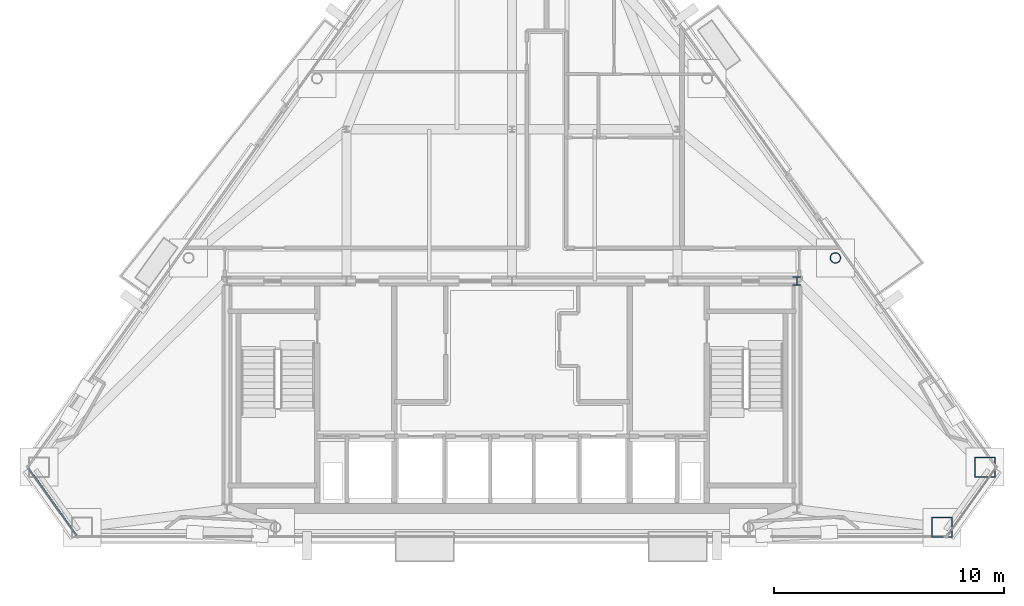
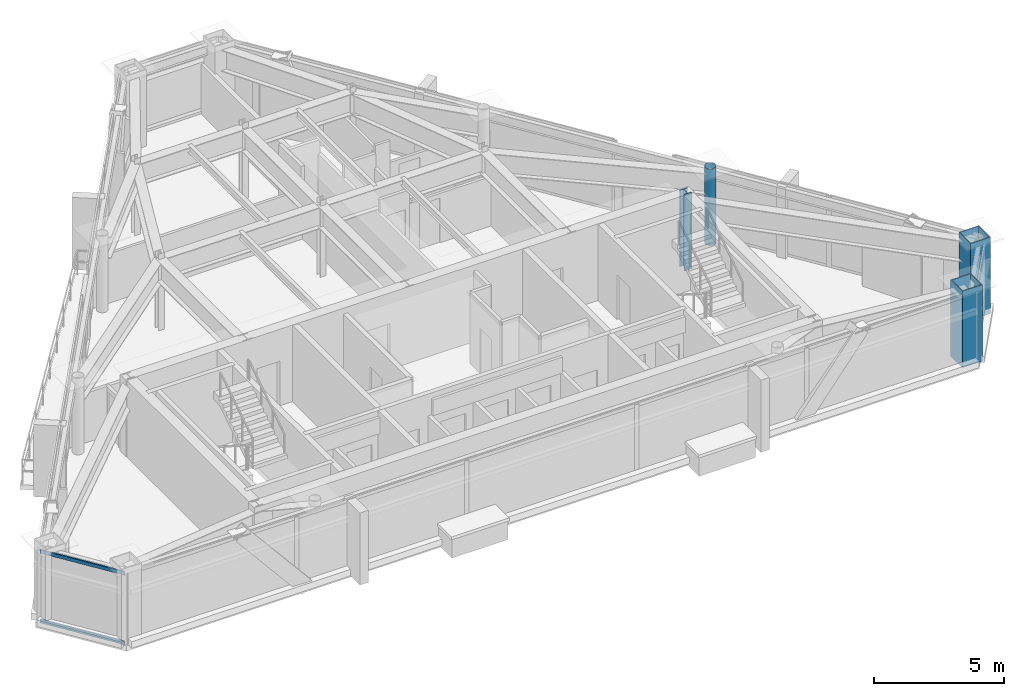
# One storey, part 3 of 11: 4 columns, 2 members, 1 element without a shape of its own.
"""IFC4 building model written with IfcOpenShell, lengths in metres."""

import ifcopenshell
import ifcopenshell.guid

model = None  # the IFC model being written
_history = None  # IfcOwnerHistory: only IFC2X3 demands one
_inside = {}  # id of a spatial element -> (the spatial element, [elements in it])
_under = {}  # id of a project, library or spatial element -> (it, [spatial elements below it])
_declared = {}  # id of a project -> (the project, [libraries it declares])
_typed = {}  # id of a type object -> (the type object, [elements of that type])
_made_of = {}  # id of a material, layer set ... -> (it, [elements and type objects made of it])


def new_model(schema):
    """Start an empty IFC model of exactly this schema.

    Asked for "IFC4X3", IfcOpenShell would pick the latest addendum, in which some entities
    have other attributes; the version numbers below select the first issue.
    IFC2X3 requires an IfcOwnerHistory on every rooted entity: one is made here for all.
    """
    global model, _history
    if schema == "IFC4X3":
        model = ifcopenshell.file(schema_version=(4, 3, 0, 0))
    else:
        model = ifcopenshell.file(schema=schema)
    _inside.clear()
    _under.clear()
    _declared.clear()
    _typed.clear()
    _made_of.clear()
    _history = None
    if model.schema == "IFC2X3":
        org = make("IfcOrganization", Name="unknown")
        user = make(
            "IfcPersonAndOrganization",
            ThePerson=make("IfcPerson", FamilyName="unknown"),
            TheOrganization=org,
        )
        app = make(
            "IfcApplication",
            ApplicationDeveloper=org,
            Version="unknown",
            ApplicationFullName="unknown",
            ApplicationIdentifier="unknown",
        )
        _history = make(
            "IfcOwnerHistory",
            OwningUser=user,
            OwningApplication=app,
            ChangeAction="ADDED",
            CreationDate=0,
        )
    return model


def make(cls, **values):
    """One entity of the class cls with the attributes given. An attribute that is None is left unset."""
    return model.create_entity(
        cls, **{name: value for name, value in values.items() if value is not None}
    )


def rooted(cls, **values):
    """An entity with a GlobalId (a new one), such as an element, a storey or a relation."""
    return make(cls, GlobalId=ifcopenshell.guid.new(), OwnerHistory=_history, **values)


def si_unit(unit_type, name, prefix=None):
    """IfcSIUnit, for example si_unit("LENGTHUNIT", "METRE", prefix="MILLI")."""
    return make("IfcSIUnit", UnitType=unit_type, Prefix=prefix, Name=name)


def assignment(units):
    """IfcUnitAssignment: the units of a project."""
    return None if units is None else make("IfcUnitAssignment", Units=units)


def point(xyz):
    """IfcCartesianPoint."""
    return None if xyz is None else make("IfcCartesianPoint", Coordinates=xyz)


def direction(xyz):
    """IfcDirection."""
    return None if xyz is None else make("IfcDirection", DirectionRatios=xyz)


def frame(location, z_axis=None, x_axis=None):
    """IfcAxis2Placement3D, a coordinate frame: its origin and axes. An axis left out is left unset."""
    return make(
        "IfcAxis2Placement3D",
        Location=point(location),
        Axis=direction(z_axis),
        RefDirection=direction(x_axis),
    )


def frame_2d(location, x_axis=None):
    """IfcAxis2Placement2D, a coordinate frame in the plane: its origin and x axis."""
    return make(
        "IfcAxis2Placement2D", Location=point(location), RefDirection=direction(x_axis)
    )


def origin():
    """The frame at (0, 0, 0) with its axes left unset."""
    return frame((0.0, 0.0, 0.0))


def origin_2d():
    """The frame at (0, 0) in the plane with its x axis left unset."""
    return frame_2d((0.0, 0.0))


def place(relative_to, where):
    """IfcLocalPlacement: puts the frame where relative to a parent placement (None: the world)."""
    return make(
        "IfcLocalPlacement", PlacementRelTo=relative_to, RelativePlacement=where
    )


def context(
    kind, dimensions, precision=None, world=None, true_north=None, identifier=None
):
    """IfcGeometricRepresentationContext, for example the 3D "Model" context."""
    return make(
        "IfcGeometricRepresentationContext",
        ContextIdentifier=identifier,
        ContextType=kind,
        CoordinateSpaceDimension=dimensions,
        Precision=precision,
        WorldCoordinateSystem=world,
        TrueNorth=true_north,
    )


def subcontext(parent, identifier, kind, view, scale=None):
    """IfcGeometricRepresentationSubContext, for example "Body" below "Model"."""
    return make(
        "IfcGeometricRepresentationSubContext",
        ContextIdentifier=identifier,
        ContextType=kind,
        ParentContext=parent,
        TargetScale=scale,
        TargetView=view,
    )


def project(units=None, contexts=None):
    """IfcProject with its units and contexts."""
    return rooted(
        "IfcProject",
        Name="project",
        RepresentationContexts=contexts,
        UnitsInContext=assignment(units),
    )


def spatial(cls, under=None, at=None, **own):
    """A site, building, storey or space (cls), placed at a placement, below another one or the project."""
    s = rooted(cls, ObjectPlacement=at, **own)
    if under is not None:
        _under.setdefault(under.id(), (under, []))[1].append(s)
    return s


def profile(cls, at=None, kind="AREA", **sizes):
    """A parametric profile (cls). Its sizes go by their IFC names, for example OverallWidth=200.0."""
    return make(cls, ProfileType=kind, Position=at, **sizes)


def rectangle(**sizes):
    """IfcRectangleProfileDef."""
    return profile("IfcRectangleProfileDef", **sizes)


def hollow_rectangle(**sizes):
    """IfcRectangleHollowProfileDef."""
    return profile("IfcRectangleHollowProfileDef", **sizes)


def hollow_circle(**sizes):
    """IfcCircleHollowProfileDef."""
    return profile("IfcCircleHollowProfileDef", **sizes)


def i_section(**sizes):
    """IfcIShapeProfileDef."""
    return profile("IfcIShapeProfileDef", **sizes)


def extrude(swept, where, along, depth):
    """IfcExtrudedAreaSolid: the profile swept, set in the frame where, extruded along a direction by depth."""
    return make(
        "IfcExtrudedAreaSolid",
        SweptArea=swept,
        Position=where,
        ExtrudedDirection=direction(along),
        Depth=depth,
    )


def shape(context_of_items, identifier, shape_type, items):
    """IfcShapeRepresentation: the items that make up one representation, for example the "Body"."""
    return make(
        "IfcShapeRepresentation",
        ContextOfItems=context_of_items,
        RepresentationIdentifier=identifier,
        RepresentationType=shape_type,
        Items=items,
    )


def material(Name=None, Category=None):
    """IfcMaterial."""
    return make("IfcMaterial", Name=Name, Category=Category)


def layer(
    of_material, thickness, ventilated=None, Name=None, Category=None, Priority=None
):
    """IfcMaterialLayer: one layer of a wall or slab, of a material (None: an air gap)."""
    return make(
        "IfcMaterialLayer",
        Material=of_material,
        LayerThickness=thickness,
        IsVentilated=ventilated,
        Name=Name,
        Category=Category,
        Priority=Priority,
    )


def layer_set(layers, Name=None):
    """IfcMaterialLayerSet."""
    return make("IfcMaterialLayerSet", MaterialLayers=layers, LayerSetName=Name)


def material_profile(
    of_material, cross_section, Name=None, Category=None, Priority=None
):
    """IfcMaterialProfile: a cross section and its material."""
    return make(
        "IfcMaterialProfile",
        Name=Name,
        Material=of_material,
        Profile=cross_section,
        Priority=Priority,
        Category=Category,
    )


def profile_set(profiles, Name=None, composite=None):
    """IfcMaterialProfileSet."""
    return make(
        "IfcMaterialProfileSet",
        Name=Name,
        MaterialProfiles=profiles,
        CompositeProfile=composite,
    )


def made_of(thing, what):
    """Note that an element or type object is made of a material, layer set ...; save() writes the relation."""
    if what is not None:
        _made_of.setdefault(what.id(), (what, []))[1].append(thing)
    return thing


def type_object(cls, material=None, **own):
    """A type object (cls), such as IfcWallType, which elements share."""
    return made_of(rooted(cls, **own), material)


def element(
    cls,
    number,
    at=None,
    inside=None,
    cuts=None,
    type_object=None,
    material=None,
    context=None,
    identifier="Body",
    shape_type=None,
    held_by="IfcProductDefinitionShape",
    body=None,
    shapes=None,
    **own,
):
    """One element of the class cls, such as IfcWall. Its Tag is "e" and its number.

    at: its placement. inside: the storey or other place that contains it. cuts: it is an
    opening in that element (IfcRelVoidsElement). A single representation is given by context,
    identifier, shape_type and body (its items); several are given by shapes. held_by: the class
    of the entity that holds the representations. save() writes the other relations.
    """
    e = rooted(cls, Tag="e%d" % number, ObjectPlacement=at, **own)
    if body is not None:
        shapes = [shape(context, identifier, shape_type, body)]
    if shapes is not None:
        e.Representation = make(held_by, Representations=shapes)
    if inside is not None:
        _inside.setdefault(inside.id(), (inside, []))[1].append(e)
    if cuts is not None:
        rooted(
            "IfcRelVoidsElement", RelatingBuildingElement=cuts, RelatedOpeningElement=e
        )
    if type_object is not None:
        _typed.setdefault(type_object.id(), (type_object, []))[1].append(e)
    return made_of(e, material)


def aggregate(whole, parts):
    """IfcRelAggregates: a whole, such as a stair, and the parts it consists of."""
    return rooted("IfcRelAggregates", RelatingObject=whole, RelatedObjects=parts)


def save(model, path):
    """Write the relations noted so far, then the file.

    IfcRelAggregates (storeys below a building ...), IfcRelContainedInSpatialStructure (elements
    in a storey), IfcRelDefinesByType, IfcRelAssociatesMaterial and IfcRelDeclares: one each for
    every whole, place, type object, material and project.
    """
    for whole, parts in _under.values():
        aggregate(whole, parts)
    for where, things in _inside.values():
        rooted(
            "IfcRelContainedInSpatialStructure",
            RelatedElements=things,
            RelatingStructure=where,
        )
    for kind, things in _typed.values():
        rooted("IfcRelDefinesByType", RelatedObjects=things, RelatingType=kind)
    for what, things in _made_of.values():
        rooted("IfcRelAssociatesMaterial", RelatedObjects=things, RelatingMaterial=what)
    for by, libraries in _declared.values():
        rooted("IfcRelDeclares", RelatingContext=by, RelatedDefinitions=libraries)
    model.write(path)


model = new_model("IFC4")

# Units and contexts
model_context = context("Model", 3, precision=1e-05, world=origin(), true_north=direction((0.0, 1.0)))
body_context = subcontext(model_context, "Body", "Model", "MODEL_VIEW")
ifc_project = project(units=[si_unit("LENGTHUNIT", "METRE"), si_unit("AREAUNIT", "SQUARE_METRE"), si_unit("VOLUMEUNIT", "CUBIC_METRE"), si_unit("PLANEANGLEUNIT", "RADIAN"), si_unit("MASSUNIT", "GRAM", prefix="KILO")], contexts=[model_context])

# Site, building, storey
site_placement = place(None, origin())
site = spatial("IfcSite", under=ifc_project, at=site_placement, CompositionType="ELEMENT")
building_placement = place(site_placement, origin())
building = spatial("IfcBuilding", under=site, at=building_placement, Name="Talgorran Terracotta Tower", CompositionType="ELEMENT")
storey_placement = place(building_placement, frame((0.0, 0.0, 274.199951171875)))
storey = spatial("IfcBuildingStorey", under=building, at=storey_placement, Name="L72", CompositionType="ELEMENT", Elevation=274.199951171875)

# Columns
ifc_material_1 = material(Name="Steel S355 (300PLUS)", Category="steel")
ifc_material_profile_1 = material_profile(ifc_material_1, i_section(OverallWidth=0.35205078125, OverallDepth=0.35888671875, WebThickness=0.01806640625, FlangeThickness=0.02587890625, at=origin_2d()), Name="350WC197")
ifc_profile_set_1 = profile_set([ifc_material_profile_1], Name="Steel S355 (300PLUS)")
column_type_1 = type_object("IfcColumnType", Name="COL_350WC197", PredefinedType="COLUMN", material=ifc_profile_set_1)
column_1_placement = place(storey_placement, frame((12.39990234375, -4.199951171875, 0.0), z_axis=(0.0, 0.0, 1.0), x_axis=(1.0, 0.0, 0.0)))
element("IfcColumn", 1, at=column_1_placement, inside=storey, type_object=column_type_1, Name="L72 Core Boundary Column CC3", PredefinedType="COLUMN", context=body_context, shape_type="SweptSolid", body=[
    extrude(i_section(OverallWidth=0.35205078125, OverallDepth=0.35888671875, WebThickness=0.01806640625, FlangeThickness=0.02587890625, at=origin_2d()), origin(), (0.0, 0.0, 1.0), 3.60009765625),
])
ifc_material_2 = material(Name="Steel Grade 350 (350L0)", Category="steel")
ifc_material_profile_2 = material_profile(ifc_material_2, hollow_rectangle(XDim=0.89990234375, YDim=0.89990234375, WallThickness=0.0400390625, at=origin_2d()), Name="CFT900X900X40")
ifc_profile_set_2 = profile_set([ifc_material_profile_2], Name="Steel Grade 350 (350L0)")
column_type_2 = type_object("IfcColumnType", Name="COL_CFT_900", PredefinedType="COLUMN", material=ifc_profile_set_2)
for number, where, z_axis, x_axis, name in (
    (2, (18.71435546875, -14.9189453125, 0.0), (0.0, 0.0, 1.0), (1.0, 0.0, 0.0), "L72 Corner CFT Mega-Column MC3"),
    (3, (20.5849609375, -12.303466796875, 0.0), (0.0, 0.0, 1.0), (1.0, 0.0, 0.0), "L72 Corner CFT Mega-Column MC4"),
):
    element("IfcColumn", number, at=place(storey_placement, frame(where, z_axis=z_axis, x_axis=x_axis)), inside=storey, type_object=column_type_2, Name=name, PredefinedType="COLUMN", context=body_context, shape_type="SweptSolid", body=[
        extrude(hollow_rectangle(XDim=0.89990234375, YDim=0.89990234375, WallThickness=0.0400390625, at=origin_2d()), origin(), (0.0, 0.0, 1.0), 3.60009765625),
    ])
ifc_material_3 = material(Name="Steel S350 (C350L0)", Category="steel")
ifc_material_profile_3 = material_profile(ifc_material_3, hollow_circle(Radius=0.228515625, WallThickness=0.01611328125, at=origin_2d()), Name="CHS457X16")
ifc_profile_set_3 = profile_set([ifc_material_profile_3], Name="Steel S350 (C350L0)")
column_type_3 = type_object("IfcColumnType", Name="COL_CHS_457", PredefinedType="COLUMN", material=ifc_profile_set_3)
column_2_placement = place(storey_placement, frame((14.071533203125, -3.1962890625, 0.0), z_axis=(0.0, 0.0, 1.0), x_axis=(1.0, 0.0, 0.0)))
element("IfcColumn", 4, at=column_2_placement, inside=storey, type_object=column_type_3, Name="L72 Facet Perimeter Column FC3", PredefinedType="COLUMN", context=body_context, shape_type="SweptSolid", body=[
    extrude(hollow_circle(Radius=0.228515625, WallThickness=0.01611328125, at=origin_2d()), origin(), (0.0, 0.0, 1.0), 3.60009765625),
])

# Curtain wall, members
ifc_material_4 = material(Name="High-Wind Unitised Glazing", Category="glass")
ifc_layer = layer(ifc_material_4, 0.2099609375, Name="CW_SYS3_RES_HIGH")
ifc_layer_set = layer_set([ifc_layer], Name="High-Wind Unitised Glazing")
curtain_wall_type = type_object("IfcCurtainWallType", Name="CW_SYS3_RES_HIGH", PredefinedType="NOTDEFINED", material=ifc_layer_set)
curtain_wall_placement = place(storey_placement, origin())
curtain_wall = element("IfcCurtainWall", 5, at=curtain_wall_placement, inside=storey, type_object=curtain_wall_type, Name="CW-L72-F0", PredefinedType="NOTDEFINED")
ifc_material_5 = material(Name="Architectural Aluminium 6063-T6", Category="aluminium")
ifc_material_profile_4 = material_profile(ifc_material_5, rectangle(XDim=0.070068359375, YDim=0.159912109375, at=origin_2d()), Name="CWT70X160")
ifc_profile_set_4 = profile_set([ifc_material_profile_4], Name="Architectural Aluminium 6063-T6")
member_type = type_object("IfcMemberType", Name="TRN_70X160", PredefinedType="USERDEFINED", material=ifc_profile_set_4)
member_1_placement = place(storey_placement, frame((-21.035888671875, -12.3603515625, 0.03515625), z_axis=(0.581723630641, -0.813386511785, 0.0), x_axis=(0.813386511785, 0.581723630641, 0.0)))
member_1 = element("IfcMember", 6, at=member_1_placement, type_object=member_type, Name="CW-L72-0 transom 1.1", ObjectType="TRANSOM", PredefinedType="USERDEFINED", context=body_context, shape_type="SweptSolid", body=[
    extrude(rectangle(XDim=0.070068359375, YDim=0.159912109375, at=origin_2d()), origin(), (0.0, 0.0, 1.0), 3.5673828125),
])
member_2_placement = place(storey_placement, frame((-21.035888671875, -12.3603515625, 3.31005859375), z_axis=(0.581723630641, -0.813386511785, 0.0), x_axis=(0.813386511785, 0.581723630641, 0.0)))
member_2 = element("IfcMember", 7, at=member_2_placement, type_object=member_type, Name="CW-L72-0 transom 1.2", ObjectType="TRANSOM", PredefinedType="USERDEFINED", context=body_context, shape_type="SweptSolid", body=[
    extrude(rectangle(XDim=0.070068359375, YDim=0.159912109375, at=origin_2d()), origin(), (0.0, 0.0, 1.0), 3.5673828125),
])
aggregate(curtain_wall, [member_1, member_2])

save(model, "model.ifc")
